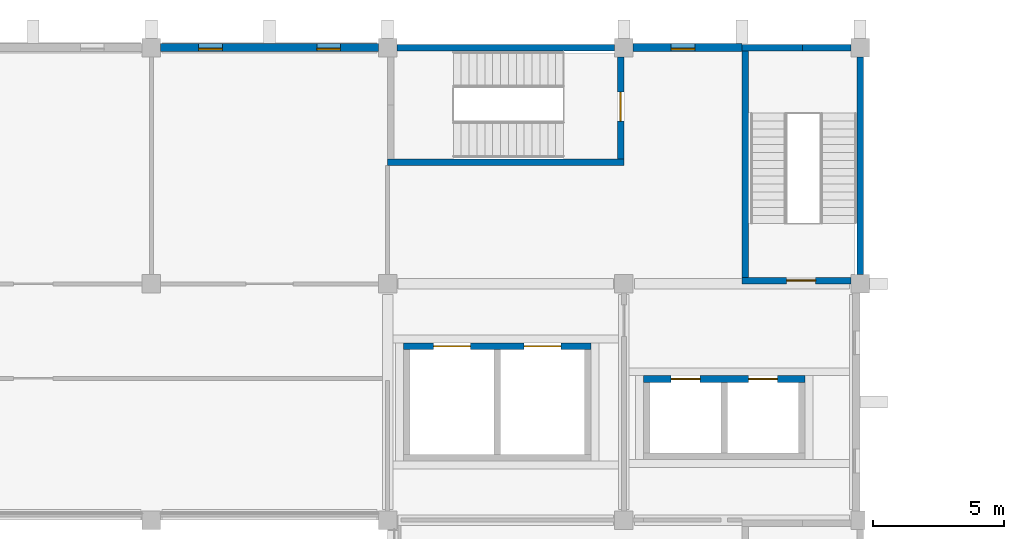
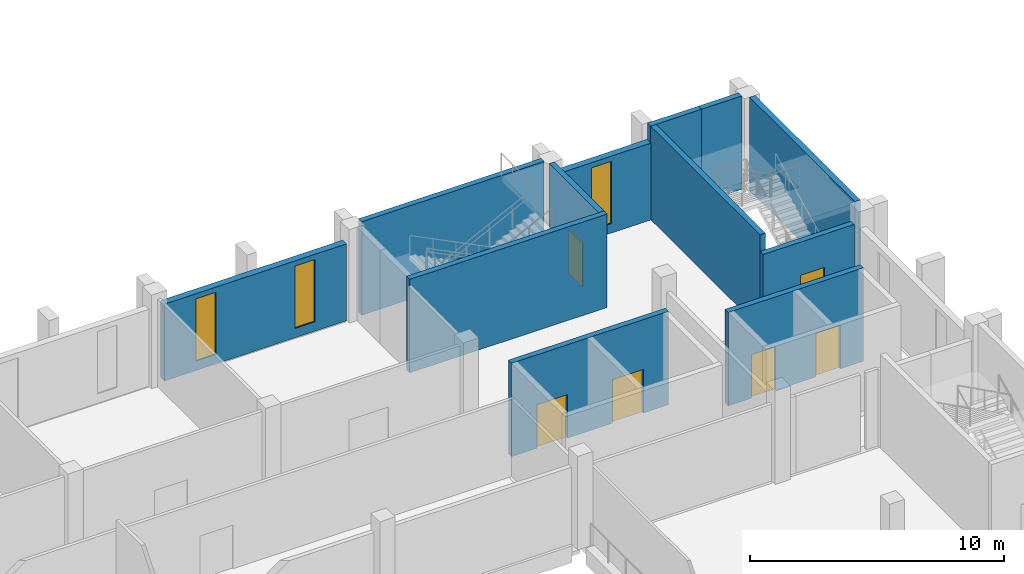
# One storey, part 30 of 45: 12 walls, 6 doors, 3 windows, 9 openings.
"""IFC4 building model written with IfcOpenShell, lengths in metres."""

from ifc_helpers import new_model, si_unit, direction, frame, frame_2d, origin, place, context, subcontext, project, spatial, rectangle, extrude, material, layer, layer_set, type_object, element, fill, save


model = new_model("IFC4")

# Units and contexts
model_context = context("Model", 3, precision=1e-05, world=origin(), true_north=direction((0.0, 1.0)))
body_context = subcontext(model_context, "Body", "Model", "MODEL_VIEW")
ifc_project = project(units=[si_unit("LENGTHUNIT", "METRE"), si_unit("AREAUNIT", "SQUARE_METRE"), si_unit("VOLUMEUNIT", "CUBIC_METRE"), si_unit("PLANEANGLEUNIT", "RADIAN"), si_unit("MASSUNIT", "GRAM", prefix="KILO")], contexts=[model_context])

# Site, building, storey
site_placement = place(None, origin())
site = spatial("IfcSite", under=ifc_project, at=site_placement, CompositionType="ELEMENT")
building_placement = place(site_placement, origin())
building = spatial("IfcBuilding", under=site, at=building_placement, Name="Guidao Yard Department Store", CompositionType="ELEMENT")
storey_placement = place(building_placement, frame((0.0, 0.0, 19.5)))
storey = spatial("IfcBuildingStorey", under=building, at=storey_placement, Name="L04", CompositionType="ELEMENT", Elevation=19.5)

# Wall, openings, windows
ifc_material_1 = material(Name="Concrete C35", Category="concrete")
ifc_layer_1 = layer(ifc_material_1, 0.300048828125)
ifc_layer_set_1 = layer_set([ifc_layer_1], Name="Hall facade wall 300 C35")
wall_type_1 = type_object("IfcWallType", Name="Hall facade wall 300 C35", PredefinedType="SOLIDWALL", material=ifc_layer_set_1)
wall_1_placement = place(storey_placement, frame((36.35009765625, 108.0, 0.0), z_axis=(0.0, 0.0, 1.0), x_axis=(1.0, 0.0, 0.0)))
wall_1 = element("IfcWall", 1, at=wall_1_placement, inside=storey, type_object=wall_type_1, Name="Hall facade wall", PredefinedType="SOLIDWALL", context=body_context, shape_type="SweptSolid", body=[
    extrude(rectangle(XDim=8.2998046875, YDim=0.300048828125, at=frame_2d((4.14990234375, 0.0))), origin(), (0.0, 0.0, 1.0), 3.699951171875),
])
opening_1_placement = place(wall_1_placement, frame((1.449951171875, 0.0, 0.449951171875)))
opening_1 = element("IfcOpeningElement", 2, at=opening_1_placement, cuts=wall_1, Name="Opening WN-L04-E16", PredefinedType="OPENING", context=body_context, shape_type="SweptSolid", body=[
    extrude(rectangle(XDim=0.89990234375, YDim=3.0, at=frame_2d((0.449951171875, 1.5))), frame((0.0, 0.159912109375, 0.0), z_axis=(0.0, -1.0, 0.0), x_axis=(1.0, 0.0, 0.0)), (0.0, 0.0, 1.0), 0.320068359375),
])
opening_2_placement = place(wall_1_placement, frame((5.949951171875, 0.0, 0.449951171875)))
opening_2 = element("IfcOpeningElement", 3, at=opening_2_placement, cuts=wall_1, Name="Opening WN-L04-E17", PredefinedType="OPENING", context=body_context, shape_type="SweptSolid", body=[
    extrude(rectangle(XDim=0.89990234375, YDim=3.0, at=frame_2d((0.449951171875, 1.5))), frame((0.0, 0.159912109375, 0.0), z_axis=(0.0, -1.0, 0.0), x_axis=(1.0, 0.0, 0.0)), (0.0, 0.0, 1.0), 0.320068359375),
])
ifc_material_2 = material(Name="Laminated glass in aluminium frame", Category="aluminium")
window_type = type_object("IfcWindowType", Name="Slot window SL1 900 x 3000 fixed", PartitioningType="SINGLE_PANEL", PredefinedType="WINDOW", material=ifc_material_2)
window_1_placement = place(opening_1_placement, origin())
window_1 = element("IfcWindow", 4, at=window_1_placement, inside=storey, type_object=window_type, Name="Slot window", OverallHeight=3.0, OverallWidth=0.89990234375, PartitioningType="SINGLE_PANEL", PredefinedType="WINDOW", context=body_context, shape_type="SweptSolid", body=[
    extrude(rectangle(XDim=0.89990234375, YDim=3.0, at=frame_2d((0.449951171875, 1.5))), frame((0.0, -0.030029296875, 0.0), z_axis=(0.0, -1.0, 0.0), x_axis=(1.0, 0.0, 0.0)), (0.0, 0.0, 1.0), 0.06005859375),
])
fill(opening_1, window_1)
window_2_placement = place(opening_2_placement, origin())
window_2 = element("IfcWindow", 5, at=window_2_placement, inside=storey, type_object=window_type, Name="Slot window", OverallHeight=3.0, OverallWidth=0.89990234375, PartitioningType="SINGLE_PANEL", PredefinedType="WINDOW", context=body_context, shape_type="SweptSolid", body=[
    extrude(rectangle(XDim=0.89990234375, YDim=3.0, at=frame_2d((0.449951171875, 1.5))), frame((0.0, -0.030029296875, 0.0), z_axis=(0.0, -1.0, 0.0), x_axis=(1.0, 0.0, 0.0)), (0.0, 0.0, 1.0), 0.06005859375),
])
fill(opening_2, window_2)

# Wall, opening, window
wall_2_placement = place(storey_placement, frame((54.35009765625, 108.0, 0.0), z_axis=(0.0, 0.0, 1.0), x_axis=(1.0, 0.0, 0.0)))
wall_2 = element("IfcWall", 6, at=wall_2_placement, inside=storey, type_object=wall_type_1, Name="Hall facade wall", PredefinedType="SOLIDWALL", context=body_context, shape_type="SweptSolid", body=[
    extrude(rectangle(XDim=4.14990234375, YDim=0.300048828125, at=frame_2d((2.074951171875, 0.0))), origin(), (0.0, 0.0, 1.0), 3.699951171875),
])
opening_3_placement = place(wall_2_placement, frame((1.449951171875, 0.0, 0.449951171875)))
opening_3 = element("IfcOpeningElement", 7, at=opening_3_placement, cuts=wall_2, Name="Opening WN-L04-E18", PredefinedType="OPENING", context=body_context, shape_type="SweptSolid", body=[
    extrude(rectangle(XDim=0.89990234375, YDim=3.0, at=frame_2d((0.449951171875, 1.5))), frame((0.0, 0.159912109375, 0.0), z_axis=(0.0, -1.0, 0.0), x_axis=(1.0, 0.0, 0.0)), (0.0, 0.0, 1.0), 0.320068359375),
])
window_3_placement = place(opening_3_placement, origin())
window_3 = element("IfcWindow", 8, at=window_3_placement, inside=storey, type_object=window_type, Name="Slot window", OverallHeight=3.0, OverallWidth=0.89990234375, PartitioningType="SINGLE_PANEL", PredefinedType="WINDOW", context=body_context, shape_type="SweptSolid", body=[
    extrude(rectangle(XDim=0.89990234375, YDim=3.0, at=frame_2d((0.449951171875, 1.5))), frame((0.0, -0.030029296875, 0.0), z_axis=(0.0, -1.0, 0.0), x_axis=(1.0, 0.0, 0.0)), (0.0, 0.0, 1.0), 0.06005859375),
])
fill(opening_3, window_3)

# Wall, opening, door
ifc_material_3 = material(Name="Concrete C40", Category="concrete")
ifc_layer_2 = layer(ifc_material_3, 0.25)
ifc_layer_set_2 = layer_set([ifc_layer_2], Name="Wall RC 250 C40 stair and shaft")
wall_type_2 = type_object("IfcWallType", Name="Wall RC 250 C40 stair and shaft", PredefinedType="SHEAR", material=ifc_layer_set_2)
wall_3_placement = place(storey_placement, frame((58.5, 99.125, 0.0), z_axis=(0.0, 0.0, 1.0), x_axis=(1.0, 0.0, 0.0)))
wall_3 = element("IfcWall", 9, at=wall_3_placement, inside=storey, type_object=wall_type_2, Name="Stair wall SA6", PredefinedType="SHEAR", context=body_context, shape_type="SweptSolid", body=[
    extrude(rectangle(XDim=4.14990234375, YDim=0.25, at=frame_2d((2.074951171875, 0.0))), origin(), (0.0, 0.0, 1.0), 3.699951171875),
])
opening_4_placement = place(wall_3_placement, frame((1.699951171875, 0.0, 0.0)))
opening_4 = element("IfcOpeningElement", 10, at=opening_4_placement, cuts=wall_3, Name="Opening L04-805", PredefinedType="OPENING", context=body_context, shape_type="SweptSolid", body=[
    extrude(rectangle(XDim=1.10009765625, YDim=2.10009765625, at=frame_2d((0.550048828125, 1.050048828125))), frame((0.0, 0.135009765625, 0.0), z_axis=(0.0, -1.0, 0.0), x_axis=(1.0, 0.0, 0.0)), (0.0, 0.0, 1.0), 0.27001953125),
])
ifc_material_4 = material(Name="Steel Q235", Category="steel")
door_type_1 = type_object("IfcDoorType", Name="Door fire-resisting 1100 x 2100 FD60", OperationType="SINGLE_SWING_LEFT", PredefinedType="DOOR", material=ifc_material_4)
door_1_placement = place(opening_4_placement, origin())
door_1 = element("IfcDoor", 11, at=door_1_placement, inside=storey, type_object=door_type_1, Name="Stair A6 door L04", OperationType="SINGLE_SWING_RIGHT", OverallHeight=2.10009765625, OverallWidth=1.10009765625, PredefinedType="DOOR", context=body_context, shape_type="SweptSolid", body=[
    extrude(rectangle(XDim=1.10009765625, YDim=2.10009765625, at=frame_2d((0.550048828125, 1.050048828125))), frame((0.0, 0.02490234375, 0.0), z_axis=(0.0, -1.0, 0.0), x_axis=(1.0, 0.0, 0.0)), (0.0, 0.0, 1.0), 0.050048828125),
])
fill(opening_4, door_1)

# Walls
wall_4_placement = place(storey_placement, frame((58.5, 108.0, 0.0), z_axis=(0.0, 0.0, 1.0), x_axis=(1.0, 0.0, 0.0)))
element("IfcWall", 12, at=wall_4_placement, inside=storey, type_object=wall_type_2, Name="Stair wall SA6", PredefinedType="SHEAR", context=body_context, shape_type="SweptSolid", body=[
    extrude(rectangle(XDim=2.31201171875, YDim=0.25, at=frame_2d((1.156005859375, 0.0))), origin(), (0.0, 0.0, 1.0), 4.5),
])
wall_5_placement = place(storey_placement, frame((60.81201171875, 108.0, 0.0), z_axis=(0.0, 0.0, 1.0), x_axis=(1.0, 0.0, 0.0)))
element("IfcWall", 13, at=wall_5_placement, inside=storey, type_object=wall_type_2, Name="Stair wall SA6", PredefinedType="SHEAR", context=body_context, shape_type="SweptSolid", body=[
    extrude(rectangle(XDim=1.837890625, YDim=0.25, at=frame_2d((0.9189453125, 0.0))), origin(), (0.0, 0.0, 1.0), 4.5),
])
wall_6_placement = place(storey_placement, frame((58.625, 99.25, 0.0), z_axis=(0.0, 0.0, 1.0), x_axis=(0.0, 1.0, 0.0)))
element("IfcWall", 14, at=wall_6_placement, inside=storey, type_object=wall_type_2, Name="Stair wall SA6", PredefinedType="SHEAR", context=body_context, shape_type="SweptSolid", body=[
    extrude(rectangle(XDim=8.625, YDim=0.25, at=frame_2d((4.3125, 0.0))), origin(), (0.0, 0.0, 1.0), 4.5),
])
wall_7_placement = place(storey_placement, frame((63.0, 99.35009765625, 0.0), z_axis=(0.0, 0.0, 1.0), x_axis=(0.0, 1.0, 0.0)))
element("IfcWall", 15, at=wall_7_placement, inside=storey, type_object=wall_type_2, Name="Stair wall SA6", PredefinedType="SHEAR", context=body_context, shape_type="SweptSolid", body=[
    extrude(rectangle(XDim=8.2998046875, YDim=0.25, at=frame_2d((4.14990234375, 0.0))), origin(), (0.0, 0.0, 1.0), 4.5),
])
wall_8_placement = place(storey_placement, frame((45.0, 103.625, 0.0), z_axis=(0.0, 0.0, 1.0), x_axis=(1.0, 0.0, 0.0)))
element("IfcWall", 16, at=wall_8_placement, inside=storey, type_object=wall_type_2, Name="Stair wall SA7", PredefinedType="SHEAR", context=body_context, shape_type="SweptSolid", body=[
    extrude(rectangle(XDim=9.0, YDim=0.25, at=frame_2d((4.5, 0.0))), origin(), (0.0, 0.0, 1.0), 4.5),
])
wall_9_placement = place(storey_placement, frame((45.35009765625, 108.0, 0.0), z_axis=(0.0, 0.0, 1.0), x_axis=(1.0, 0.0, 0.0)))
element("IfcWall", 17, at=wall_9_placement, inside=storey, type_object=wall_type_2, Name="Stair wall SA7", PredefinedType="SHEAR", context=body_context, shape_type="SweptSolid", body=[
    extrude(rectangle(XDim=8.2998046875, YDim=0.25, at=frame_2d((4.14990234375, 0.0))), origin(), (0.0, 0.0, 1.0), 4.5),
])

# Wall, opening, door
wall_10_placement = place(storey_placement, frame((53.875, 103.75, 0.0), z_axis=(0.0, 0.0, 1.0), x_axis=(0.0, 1.0, 0.0)))
wall_10 = element("IfcWall", 18, at=wall_10_placement, inside=storey, type_object=wall_type_2, Name="Stair wall SA7", PredefinedType="SHEAR", context=body_context, shape_type="SweptSolid", body=[
    extrude(rectangle(XDim=3.89990234375, YDim=0.25, at=frame_2d((1.949951171875, 0.0))), origin(), (0.0, 0.0, 1.0), 4.5),
])
opening_5_placement = place(wall_10_placement, frame((1.449951171875, 0.0, 0.0)))
opening_5 = element("IfcOpeningElement", 19, at=opening_5_placement, cuts=wall_10, Name="Opening L04-806", PredefinedType="OPENING", context=body_context, shape_type="SweptSolid", body=[
    extrude(rectangle(XDim=1.10009765625, YDim=2.10009765625, at=frame_2d((0.550048828125, 1.050048828125))), frame((0.0, 0.135009765625, 0.0), z_axis=(0.0, -1.0, 0.0), x_axis=(1.0, 0.0, 0.0)), (0.0, 0.0, 1.0), 0.27001953125),
])
door_2_placement = place(opening_5_placement, origin())
door_2 = element("IfcDoor", 20, at=door_2_placement, inside=storey, type_object=door_type_1, Name="Stair A7 door L04", OperationType="SINGLE_SWING_RIGHT", OverallHeight=2.10009765625, OverallWidth=1.10009765625, PredefinedType="DOOR", context=body_context, shape_type="SweptSolid", body=[
    extrude(rectangle(XDim=1.10009765625, YDim=2.10009765625, at=frame_2d((0.550048828125, 1.050048828125))), frame((0.0, 0.02490234375, 0.0), z_axis=(0.0, -1.0, 0.0), x_axis=(1.0, 0.0, 0.0)), (0.0, 0.0, 1.0), 0.050048828125),
])
fill(opening_5, door_2)

# Wall, openings, doors
wall_11_placement = place(storey_placement, frame((45.60009765625, 96.625, 0.0), z_axis=(0.0, 0.0, 1.0), x_axis=(1.0, 0.0, 0.0)))
wall_11 = element("IfcWall", 21, at=wall_11_placement, inside=storey, type_object=wall_type_2, Name="Lift shaft wall HG1 to HG2", PredefinedType="SHEAR", context=body_context, shape_type="SweptSolid", body=[
    extrude(rectangle(XDim=7.14990234375, YDim=0.25, at=frame_2d((3.574951171875, 0.0))), origin(), (0.0, 0.0, 1.0), 4.5),
])
opening_6_placement = place(wall_11_placement, frame((1.14990234375, 0.0, 0.0)))
opening_6 = element("IfcOpeningElement", 22, at=opening_6_placement, cuts=wall_11, Name="Opening LD-HG1-L04", PredefinedType="OPENING", context=body_context, shape_type="SweptSolid", body=[
    extrude(rectangle(XDim=1.39990234375, YDim=2.10009765625, at=frame_2d((0.699951171875, 1.050048828125))), frame((0.0, 0.135009765625, 0.0), z_axis=(0.0, -1.0, 0.0), x_axis=(1.0, 0.0, 0.0)), (0.0, 0.0, 1.0), 0.27001953125),
])
opening_7_placement = place(wall_11_placement, frame((4.60009765625, 0.0, 0.0)))
opening_7 = element("IfcOpeningElement", 23, at=opening_7_placement, cuts=wall_11, Name="Opening LD-HG2-L04", PredefinedType="OPENING", context=body_context, shape_type="SweptSolid", body=[
    extrude(rectangle(XDim=1.39990234375, YDim=2.10009765625, at=frame_2d((0.699951171875, 1.050048828125))), frame((0.0, 0.135009765625, 0.0), z_axis=(0.0, -1.0, 0.0), x_axis=(1.0, 0.0, 0.0)), (0.0, 0.0, 1.0), 0.27001953125),
])
ifc_material_5 = material(Name="Stainless steel 06Cr19Ni10", Category="steel")
door_type_2 = type_object("IfcDoorType", Name="Lift landing door fire-resisting sliding 1400 x 2100", OperationType="DOUBLE_DOOR_SLIDING", PredefinedType="DOOR", material=ifc_material_5)
door_3_placement = place(opening_6_placement, origin())
door_3 = element("IfcDoor", 24, at=door_3_placement, inside=storey, type_object=door_type_2, Name="Lift landing door HG1 L04", OperationType="DOUBLE_DOOR_SLIDING", OverallHeight=2.10009765625, OverallWidth=1.39990234375, PredefinedType="DOOR", context=body_context, shape_type="SweptSolid", body=[
    extrude(rectangle(XDim=1.39990234375, YDim=2.10009765625, at=frame_2d((0.699951171875, 1.050048828125))), frame((0.0, 0.02490234375, 0.0), z_axis=(0.0, -1.0, 0.0), x_axis=(1.0, 0.0, 0.0)), (0.0, 0.0, 1.0), 0.050048828125),
])
fill(opening_6, door_3)
door_4_placement = place(opening_7_placement, origin())
door_4 = element("IfcDoor", 25, at=door_4_placement, inside=storey, type_object=door_type_2, Name="Lift landing door HG2 L04", OperationType="DOUBLE_DOOR_SLIDING", OverallHeight=2.10009765625, OverallWidth=1.39990234375, PredefinedType="DOOR", context=body_context, shape_type="SweptSolid", body=[
    extrude(rectangle(XDim=1.39990234375, YDim=2.10009765625, at=frame_2d((0.699951171875, 1.050048828125))), frame((0.0, 0.02490234375, 0.0), z_axis=(0.0, -1.0, 0.0), x_axis=(1.0, 0.0, 0.0)), (0.0, 0.0, 1.0), 0.050048828125),
])
fill(opening_7, door_4)

wall_12_placement = place(storey_placement, frame((54.75, 95.375, 0.0), z_axis=(0.0, 0.0, 1.0), x_axis=(1.0, 0.0, 0.0)))
wall_12 = element("IfcWall", 26, at=wall_12_placement, inside=storey, type_object=wall_type_2, Name="Lift shaft wall HF1 to HF2", PredefinedType="SHEAR", context=body_context, shape_type="SweptSolid", body=[
    extrude(rectangle(XDim=6.14990234375, YDim=0.25, at=frame_2d((3.074951171875, 0.0))), origin(), (0.0, 0.0, 1.0), 4.5),
])
opening_8_placement = place(wall_12_placement, frame((1.050048828125, 0.0, 0.0)))
opening_8 = element("IfcOpeningElement", 27, at=opening_8_placement, cuts=wall_12, Name="Opening LD-HF1-L04", PredefinedType="OPENING", context=body_context, shape_type="SweptSolid", body=[
    extrude(rectangle(XDim=1.10009765625, YDim=2.10009765625, at=frame_2d((0.550048828125, 1.050048828125))), frame((0.0, 0.135009765625, 0.0), z_axis=(0.0, -1.0, 0.0), x_axis=(1.0, 0.0, 0.0)), (0.0, 0.0, 1.0), 0.27001953125),
])
opening_9_placement = place(wall_12_placement, frame((4.0, 0.0, 0.0)))
opening_9 = element("IfcOpeningElement", 28, at=opening_9_placement, cuts=wall_12, Name="Opening LD-HF2-L04", PredefinedType="OPENING", context=body_context, shape_type="SweptSolid", body=[
    extrude(rectangle(XDim=1.10009765625, YDim=2.10009765625, at=frame_2d((0.550048828125, 1.050048828125))), frame((0.0, 0.135009765625, 0.0), z_axis=(0.0, -1.0, 0.0), x_axis=(1.0, 0.0, 0.0)), (0.0, 0.0, 1.0), 0.27001953125),
])
ifc_material_6 = material(Name="Stainless steel 06Cr19Ni10", Category="steel")
door_type_3 = type_object("IfcDoorType", Name="Lift landing door fire-resisting sliding 1100 x 2100", OperationType="DOUBLE_DOOR_SLIDING", PredefinedType="DOOR", material=ifc_material_6)
door_5_placement = place(opening_8_placement, origin())
door_5 = element("IfcDoor", 29, at=door_5_placement, inside=storey, type_object=door_type_3, Name="Lift landing door HF1 L04", OperationType="DOUBLE_DOOR_SLIDING", OverallHeight=2.10009765625, OverallWidth=1.10009765625, PredefinedType="DOOR", context=body_context, shape_type="SweptSolid", body=[
    extrude(rectangle(XDim=1.10009765625, YDim=2.10009765625, at=frame_2d((0.550048828125, 1.050048828125))), frame((0.0, 0.02490234375, 0.0), z_axis=(0.0, -1.0, 0.0), x_axis=(1.0, 0.0, 0.0)), (0.0, 0.0, 1.0), 0.050048828125),
])
fill(opening_8, door_5)
door_6_placement = place(opening_9_placement, origin())
door_6 = element("IfcDoor", 30, at=door_6_placement, inside=storey, type_object=door_type_3, Name="Lift landing door HF2 L04", OperationType="DOUBLE_DOOR_SLIDING", OverallHeight=2.10009765625, OverallWidth=1.10009765625, PredefinedType="DOOR", context=body_context, shape_type="SweptSolid", body=[
    extrude(rectangle(XDim=1.10009765625, YDim=2.10009765625, at=frame_2d((0.550048828125, 1.050048828125))), frame((0.0, 0.02490234375, 0.0), z_axis=(0.0, -1.0, 0.0), x_axis=(1.0, 0.0, 0.0)), (0.0, 0.0, 1.0), 0.050048828125),
])
fill(opening_9, door_6)

save(model, "model.ifc")
